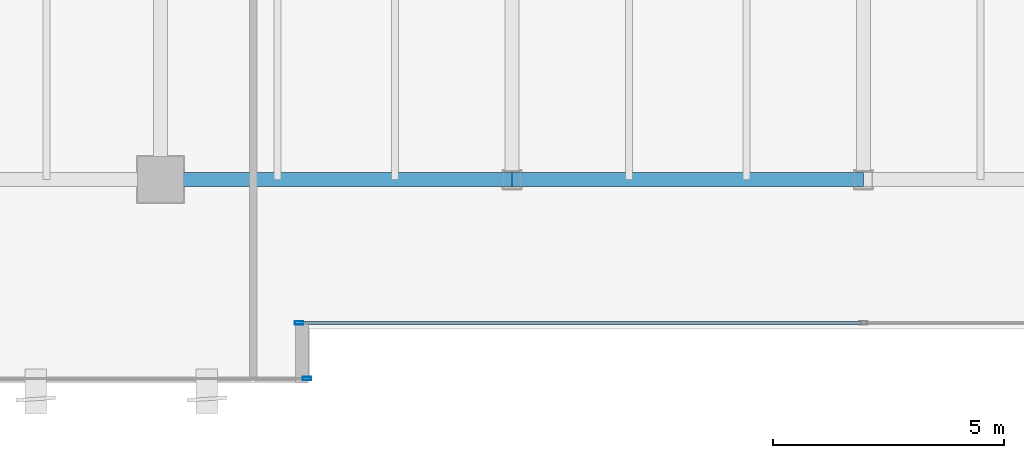
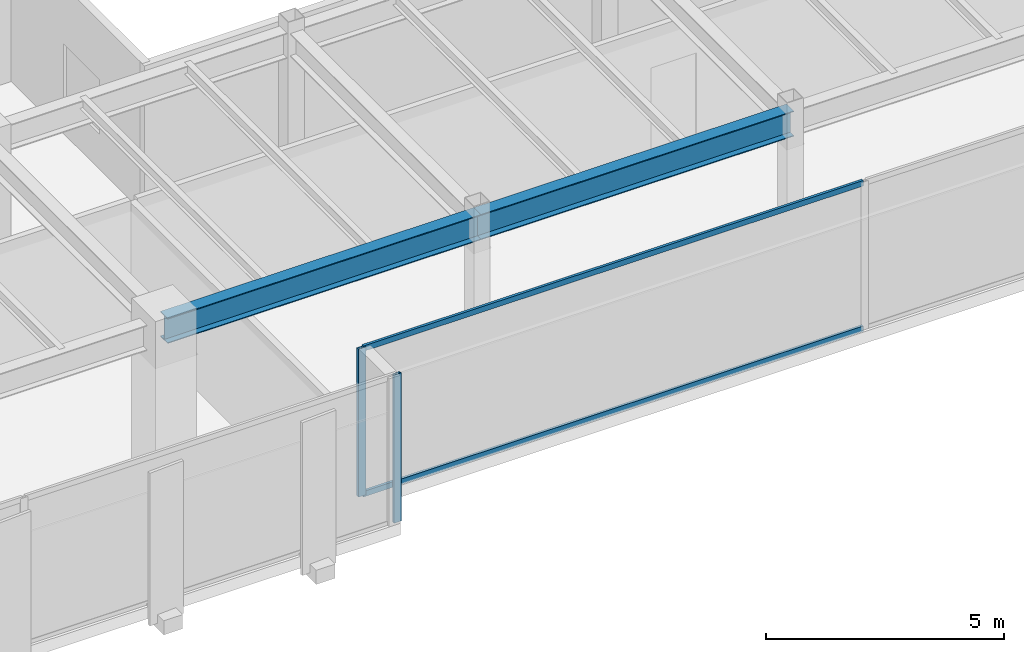
# One storey, part 7 of 35: 4 members, 2 beams, 2 elements without a shape of their own.
"""IFC4 building model written with IfcOpenShell, lengths in metres."""

from ifc_helpers import new_model, si_unit, direction, frame, origin, origin_2d, place, context, subcontext, project, spatial, hollow_rectangle, i_section, extrude, source, transform, mapped, material, layer, layer_set, material_profile, profile_set, type_object, type_shapes, element, aggregate, save


model = new_model("IFC4")

# Units and contexts
model_context = context("Model", 3, precision=1e-05, world=origin(), true_north=direction((0.0, 1.0)))
body_context = subcontext(model_context, "Body", "Model", "MODEL_VIEW")
ifc_project = project(units=[si_unit("LENGTHUNIT", "METRE"), si_unit("AREAUNIT", "SQUARE_METRE"), si_unit("VOLUMEUNIT", "CUBIC_METRE"), si_unit("PLANEANGLEUNIT", "RADIAN"), si_unit("MASSUNIT", "GRAM", prefix="KILO")], contexts=[model_context])

# Site, building, storey
site_placement = place(None, origin())
site = spatial("IfcSite", under=ifc_project, at=site_placement, CompositionType="ELEMENT")
building_placement = place(site_placement, origin())
building = spatial("IfcBuilding", under=site, at=building_placement, Name="Haelvirn Gate Laboratories", CompositionType="ELEMENT")
storey_placement = place(building_placement, frame((0.0, 0.0, 201.39990234375)))
storey = spatial("IfcBuildingStorey", under=building, at=storey_placement, Name="L48", CompositionType="ELEMENT", Elevation=201.39990234375)

# Beams
ifc_material_1 = material(Name="Steel SM355", Category="steel")
ifc_material_profile_1 = material_profile(ifc_material_1, i_section(OverallWidth=0.300048828125, OverallDepth=0.64990234375, WebThickness=0.012939453125, FlangeThickness=0.02197265625, at=origin_2d()), Name="H-650x300x13x22")
ifc_profile_set_1 = profile_set([ifc_material_profile_1], Name="Steel SM355")
beam_type = type_object("IfcBeamType", Name="BM-G-650", PredefinedType="BEAM", material=ifc_profile_set_1)
shared_shape_1 = source(origin(), body_context, "Body", "SweptSolid", [
    extrude(i_section(OverallWidth=0.300048828125, OverallDepth=0.64990234375, WebThickness=0.012939453125, FlangeThickness=0.02197265625, at=origin_2d()), origin(), (0.0, 0.0, 1.0), 7.60009765625),
])
beam_1_placement = place(storey_placement, frame((22.199951171875, 7.0, 3.47509765625), z_axis=(1.0, 0.0, 0.0), x_axis=(0.0, 1.0, 0.0)))
element("IfcBeam", 1, at=beam_1_placement, inside=storey, type_object=beam_type, Name="L48 Primary Girder Y7.0 (22.2-29.8)", PredefinedType="BEAM", context=body_context, shape_type="MappedRepresentation", body=[
    mapped(shared_shape_1, transform((0.0, 0.0, 0.0), scale=1.0)),
])
shared_shape_2 = source(origin(), body_context, "Body", "SweptSolid", [
    extrude(i_section(OverallWidth=0.300048828125, OverallDepth=0.64990234375, WebThickness=0.012939453125, FlangeThickness=0.02197265625, at=origin_2d()), origin(), (0.0, 0.0, 1.0), 7.599853515625),
])
type_shapes(beam_type, [shared_shape_1, shared_shape_2])
beam_2_placement = place(storey_placement, frame((29.800048828125, 7.0, 3.47509765625), z_axis=(1.0, 0.0, 0.0), x_axis=(0.0, 1.0, 0.0)))
element("IfcBeam", 2, at=beam_2_placement, inside=storey, type_object=beam_type, Name="L48 Primary Girder Y7.0 (29.8-37.4)", PredefinedType="BEAM", context=body_context, shape_type="MappedRepresentation", body=[
    mapped(shared_shape_2, transform((0.0, 0.0, 0.0), scale=1.0)),
])

# Curtain wall, members
ifc_material_2 = material(Name="Anodised bronze unitised aluminium & triple low-E glass", Category="aluminium")
ifc_layer = layer(ifc_material_2, 0.176025390625, Name="CW-SYS-4")
ifc_layer_set = layer_set([ifc_layer], Name="Anodised bronze unitised aluminium & triple low-E glass")
curtain_wall_type = type_object("IfcCurtainWallType", Name="CW-SYS-4", PredefinedType="NOTDEFINED", material=ifc_layer_set)
curtain_wall_1_placement = place(storey_placement, origin())
curtain_wall_1 = element("IfcCurtainWall", 3, at=curtain_wall_1_placement, inside=storey, type_object=curtain_wall_type, Name="L48 Unitised Curtain Wall CW-L48-P0-E02-1", PredefinedType="NOTDEFINED")
ifc_material_3 = material(Name="Extruded aluminium 6063-T6 (anodised bronze)", Category="aluminium")
ifc_material_profile_2 = material_profile(ifc_material_3, hollow_rectangle(XDim=0.06494140625, YDim=0.139892578125, WallThickness=0.00390625, at=origin_2d()), Name="CWT-140x65x4")
ifc_profile_set_2 = profile_set([ifc_material_profile_2], Name="Extruded aluminium 6063-T6 (anodised bronze)")
member_type_1 = type_object("IfcMemberType", Name="CWT-T140", PredefinedType="USERDEFINED", material=ifc_profile_set_2)
shared_shape_3 = source(origin(), body_context, "Body", "SweptSolid", [
    extrude(hollow_rectangle(XDim=0.06494140625, YDim=0.139892578125, WallThickness=0.00390625, at=origin_2d()), origin(), (0.0, 0.0, 1.0), 12.135009765625),
])
type_shapes(member_type_1, [shared_shape_3])
member_1_placement = place(storey_placement, frame((25.22998046875, 3.89990234375, 0.03271484375), z_axis=(1.0, 0.0, 0.0), x_axis=(0.0, 1.0, 0.0)))
member_1 = element("IfcMember", 4, at=member_1_placement, type_object=member_type_1, Name="CW4 transom 1.1", ObjectType="TRANSOM", PredefinedType="USERDEFINED", context=body_context, shape_type="MappedRepresentation", body=[
    mapped(shared_shape_3, transform((0.0, 0.0, 0.0), scale=1.0)),
])
member_2_placement = place(storey_placement, frame((25.22998046875, 3.89990234375, 3.767578125), z_axis=(1.0, 0.0, 0.0), x_axis=(0.0, 1.0, 0.0)))
member_2 = element("IfcMember", 5, at=member_2_placement, type_object=member_type_1, Name="CW4 transom 1.2", ObjectType="TRANSOM", PredefinedType="USERDEFINED", context=body_context, shape_type="MappedRepresentation", body=[
    mapped(shared_shape_3, transform((0.0, 0.0, 0.0), scale=1.0)),
])

# Curtain wall, member
curtain_wall_2_placement = place(storey_placement, origin())
curtain_wall_2 = element("IfcCurtainWall", 6, at=curtain_wall_2_placement, inside=storey, type_object=curtain_wall_type, Name="L48 Unitised Curtain Wall CW-L48-P0-E00-1", PredefinedType="NOTDEFINED")
ifc_material_profile_3 = material_profile(ifc_material_3, hollow_rectangle(XDim=0.070068359375, YDim=0.179931640625, WallThickness=0.0048828125, at=origin_2d()), Name="CWM-180x70x5")
ifc_profile_set_3 = profile_set([ifc_material_profile_3], Name="Extruded aluminium 6063-T6 (anodised bronze)")
member_type_2 = type_object("IfcMemberType", Name="CWM-T180", PredefinedType="MULLION", material=ifc_profile_set_3)
shared_shape_4 = source(origin(), body_context, "Body", "SweptSolid", [
    extrude(hollow_rectangle(XDim=0.070068359375, YDim=0.179931640625, WallThickness=0.0048828125, at=origin_2d()), origin(), (0.0, 0.0, 1.0), 3.800048828125),
])
type_shapes(member_type_2, [shared_shape_4])
member_3_placement = place(storey_placement, frame((25.364990234375, 2.699951171875, 0.0), z_axis=(0.0, 0.0, 1.0), x_axis=(0.0, 1.0, 0.0)))
member_3 = element("IfcMember", 7, at=member_3_placement, type_object=member_type_2, Name="CW4 mullion 3", PredefinedType="MULLION", context=body_context, shape_type="MappedRepresentation", body=[
    mapped(shared_shape_4, transform((0.0, 0.0, 0.0), scale=1.0)),
])
aggregate(curtain_wall_2, [member_3])

# Member
member_4_placement = place(storey_placement, frame((25.195068359375, 3.89990234375, 0.0), z_axis=(0.0, 0.0, 1.0), x_axis=(0.0, 1.0, 0.0)))
member_4 = element("IfcMember", 8, at=member_4_placement, type_object=member_type_2, Name="CW4 mullion 1", PredefinedType="MULLION", context=body_context, shape_type="MappedRepresentation", body=[
    mapped(shared_shape_4, transform((0.0, 0.0, 0.0), scale=1.0)),
])

aggregate(curtain_wall_1, [member_4, member_1, member_2])

save(model, "model.ifc")
